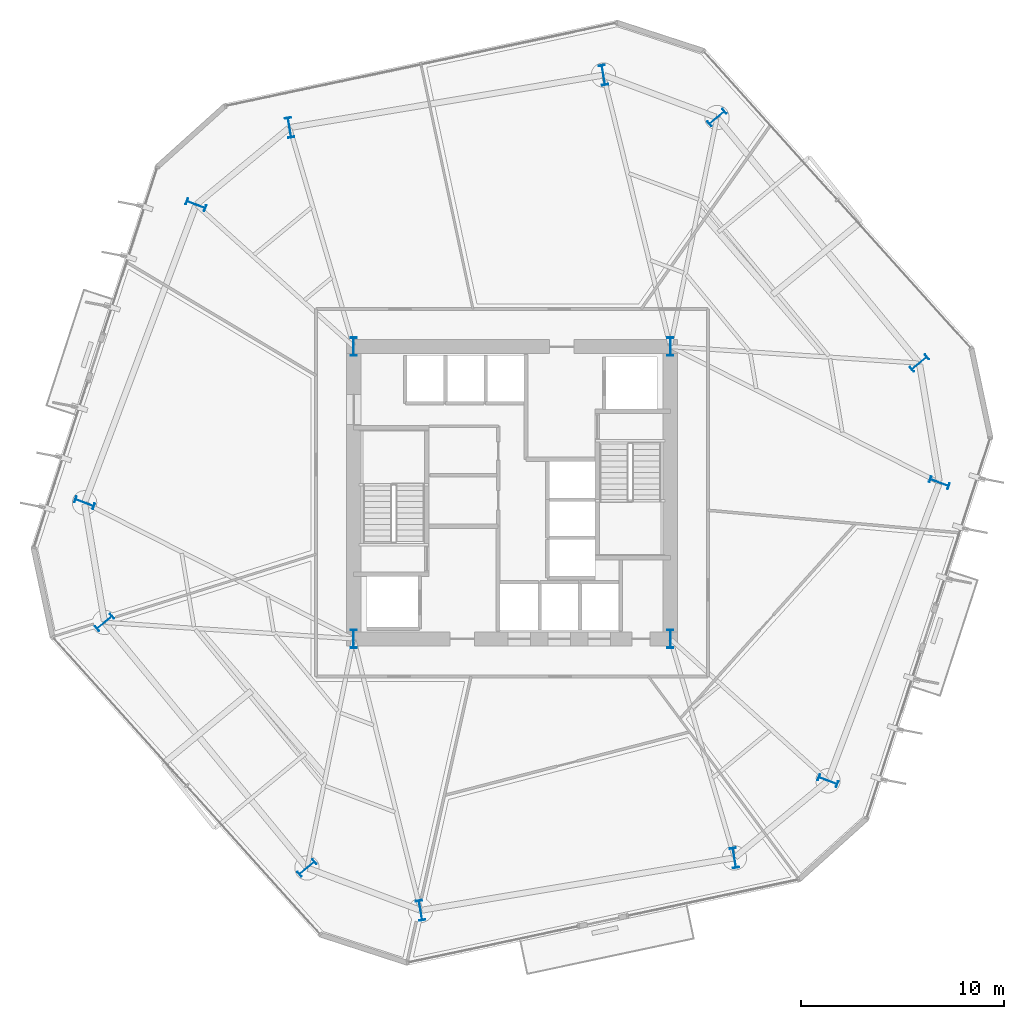
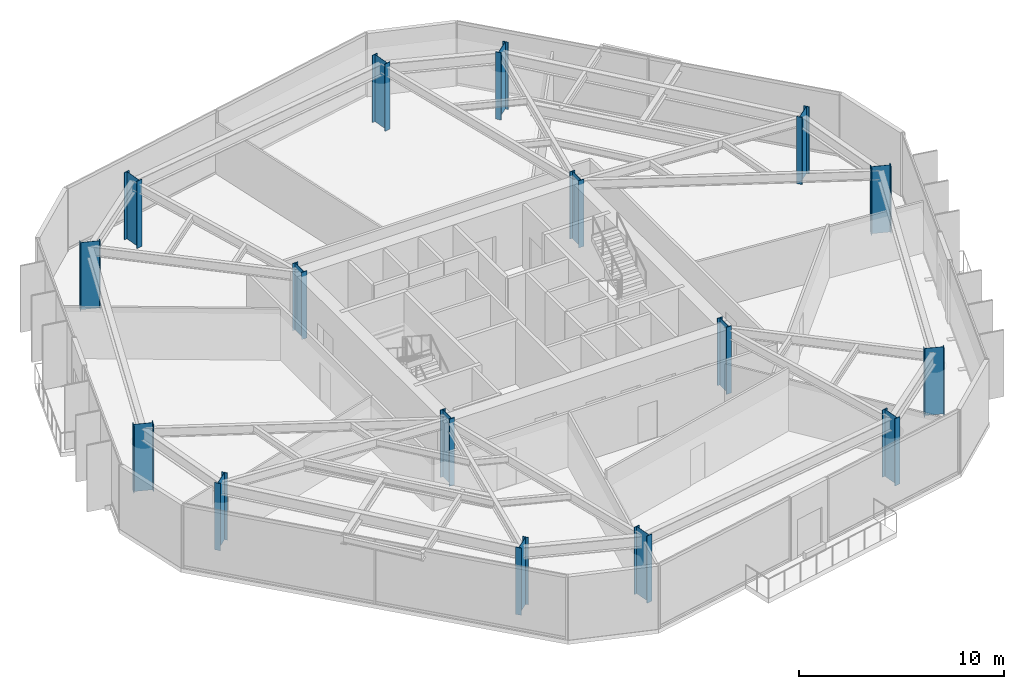
# One storey, part 1 of 10: 16 columns.
"""IFC4 building model written with IfcOpenShell, lengths in metres."""

import ifcopenshell
import ifcopenshell.guid

model = None  # the IFC model being written
_history = None  # IfcOwnerHistory: only IFC2X3 demands one
_inside = {}  # id of a spatial element -> (the spatial element, [elements in it])
_under = {}  # id of a project, library or spatial element -> (it, [spatial elements below it])
_declared = {}  # id of a project -> (the project, [libraries it declares])
_typed = {}  # id of a type object -> (the type object, [elements of that type])
_made_of = {}  # id of a material, layer set ... -> (it, [elements and type objects made of it])


def new_model(schema):
    """Start an empty IFC model of exactly this schema.

    Asked for "IFC4X3", IfcOpenShell would pick the latest addendum, in which some entities
    have other attributes; the version numbers below select the first issue.
    IFC2X3 requires an IfcOwnerHistory on every rooted entity: one is made here for all.
    """
    global model, _history
    if schema == "IFC4X3":
        model = ifcopenshell.file(schema_version=(4, 3, 0, 0))
    else:
        model = ifcopenshell.file(schema=schema)
    _inside.clear()
    _under.clear()
    _declared.clear()
    _typed.clear()
    _made_of.clear()
    _history = None
    if model.schema == "IFC2X3":
        org = make("IfcOrganization", Name="unknown")
        user = make(
            "IfcPersonAndOrganization",
            ThePerson=make("IfcPerson", FamilyName="unknown"),
            TheOrganization=org,
        )
        app = make(
            "IfcApplication",
            ApplicationDeveloper=org,
            Version="unknown",
            ApplicationFullName="unknown",
            ApplicationIdentifier="unknown",
        )
        _history = make(
            "IfcOwnerHistory",
            OwningUser=user,
            OwningApplication=app,
            ChangeAction="ADDED",
            CreationDate=0,
        )
    return model


def make(cls, **values):
    """One entity of the class cls with the attributes given. An attribute that is None is left unset."""
    return model.create_entity(
        cls, **{name: value for name, value in values.items() if value is not None}
    )


def rooted(cls, **values):
    """An entity with a GlobalId (a new one), such as an element, a storey or a relation."""
    return make(cls, GlobalId=ifcopenshell.guid.new(), OwnerHistory=_history, **values)


def si_unit(unit_type, name, prefix=None):
    """IfcSIUnit, for example si_unit("LENGTHUNIT", "METRE", prefix="MILLI")."""
    return make("IfcSIUnit", UnitType=unit_type, Prefix=prefix, Name=name)


def assignment(units):
    """IfcUnitAssignment: the units of a project."""
    return None if units is None else make("IfcUnitAssignment", Units=units)


def point(xyz):
    """IfcCartesianPoint."""
    return None if xyz is None else make("IfcCartesianPoint", Coordinates=xyz)


def direction(xyz):
    """IfcDirection."""
    return None if xyz is None else make("IfcDirection", DirectionRatios=xyz)


def frame(location, z_axis=None, x_axis=None):
    """IfcAxis2Placement3D, a coordinate frame: its origin and axes. An axis left out is left unset."""
    return make(
        "IfcAxis2Placement3D",
        Location=point(location),
        Axis=direction(z_axis),
        RefDirection=direction(x_axis),
    )


def frame_2d(location, x_axis=None):
    """IfcAxis2Placement2D, a coordinate frame in the plane: its origin and x axis."""
    return make(
        "IfcAxis2Placement2D", Location=point(location), RefDirection=direction(x_axis)
    )


def origin():
    """The frame at (0, 0, 0) with its axes left unset."""
    return frame((0.0, 0.0, 0.0))


def origin_2d():
    """The frame at (0, 0) in the plane with its x axis left unset."""
    return frame_2d((0.0, 0.0))


def place(relative_to, where):
    """IfcLocalPlacement: puts the frame where relative to a parent placement (None: the world)."""
    return make(
        "IfcLocalPlacement", PlacementRelTo=relative_to, RelativePlacement=where
    )


def context(
    kind, dimensions, precision=None, world=None, true_north=None, identifier=None
):
    """IfcGeometricRepresentationContext, for example the 3D "Model" context."""
    return make(
        "IfcGeometricRepresentationContext",
        ContextIdentifier=identifier,
        ContextType=kind,
        CoordinateSpaceDimension=dimensions,
        Precision=precision,
        WorldCoordinateSystem=world,
        TrueNorth=true_north,
    )


def subcontext(parent, identifier, kind, view, scale=None):
    """IfcGeometricRepresentationSubContext, for example "Body" below "Model"."""
    return make(
        "IfcGeometricRepresentationSubContext",
        ContextIdentifier=identifier,
        ContextType=kind,
        ParentContext=parent,
        TargetScale=scale,
        TargetView=view,
    )


def project(units=None, contexts=None):
    """IfcProject with its units and contexts."""
    return rooted(
        "IfcProject",
        Name="project",
        RepresentationContexts=contexts,
        UnitsInContext=assignment(units),
    )


def spatial(cls, under=None, at=None, **own):
    """A site, building, storey or space (cls), placed at a placement, below another one or the project."""
    s = rooted(cls, ObjectPlacement=at, **own)
    if under is not None:
        _under.setdefault(under.id(), (under, []))[1].append(s)
    return s


def profile(cls, at=None, kind="AREA", **sizes):
    """A parametric profile (cls). Its sizes go by their IFC names, for example OverallWidth=200.0."""
    return make(cls, ProfileType=kind, Position=at, **sizes)


def i_section(**sizes):
    """IfcIShapeProfileDef."""
    return profile("IfcIShapeProfileDef", **sizes)


def extrude(swept, where, along, depth):
    """IfcExtrudedAreaSolid: the profile swept, set in the frame where, extruded along a direction by depth."""
    return make(
        "IfcExtrudedAreaSolid",
        SweptArea=swept,
        Position=where,
        ExtrudedDirection=direction(along),
        Depth=depth,
    )


def shape(context_of_items, identifier, shape_type, items):
    """IfcShapeRepresentation: the items that make up one representation, for example the "Body"."""
    return make(
        "IfcShapeRepresentation",
        ContextOfItems=context_of_items,
        RepresentationIdentifier=identifier,
        RepresentationType=shape_type,
        Items=items,
    )


def material(Name=None, Category=None):
    """IfcMaterial."""
    return make("IfcMaterial", Name=Name, Category=Category)


def material_profile(
    of_material, cross_section, Name=None, Category=None, Priority=None
):
    """IfcMaterialProfile: a cross section and its material."""
    return make(
        "IfcMaterialProfile",
        Name=Name,
        Material=of_material,
        Profile=cross_section,
        Priority=Priority,
        Category=Category,
    )


def profile_set(profiles, Name=None, composite=None):
    """IfcMaterialProfileSet."""
    return make(
        "IfcMaterialProfileSet",
        Name=Name,
        MaterialProfiles=profiles,
        CompositeProfile=composite,
    )


def made_of(thing, what):
    """Note that an element or type object is made of a material, layer set ...; save() writes the relation."""
    if what is not None:
        _made_of.setdefault(what.id(), (what, []))[1].append(thing)
    return thing


def type_object(cls, material=None, **own):
    """A type object (cls), such as IfcWallType, which elements share."""
    return made_of(rooted(cls, **own), material)


def element(
    cls,
    number,
    at=None,
    inside=None,
    cuts=None,
    type_object=None,
    material=None,
    context=None,
    identifier="Body",
    shape_type=None,
    held_by="IfcProductDefinitionShape",
    body=None,
    shapes=None,
    **own,
):
    """One element of the class cls, such as IfcWall. Its Tag is "e" and its number.

    at: its placement. inside: the storey or other place that contains it. cuts: it is an
    opening in that element (IfcRelVoidsElement). A single representation is given by context,
    identifier, shape_type and body (its items); several are given by shapes. held_by: the class
    of the entity that holds the representations. save() writes the other relations.
    """
    e = rooted(cls, Tag="e%d" % number, ObjectPlacement=at, **own)
    if body is not None:
        shapes = [shape(context, identifier, shape_type, body)]
    if shapes is not None:
        e.Representation = make(held_by, Representations=shapes)
    if inside is not None:
        _inside.setdefault(inside.id(), (inside, []))[1].append(e)
    if cuts is not None:
        rooted(
            "IfcRelVoidsElement", RelatingBuildingElement=cuts, RelatedOpeningElement=e
        )
    if type_object is not None:
        _typed.setdefault(type_object.id(), (type_object, []))[1].append(e)
    return made_of(e, material)


def aggregate(whole, parts):
    """IfcRelAggregates: a whole, such as a stair, and the parts it consists of."""
    return rooted("IfcRelAggregates", RelatingObject=whole, RelatedObjects=parts)


def save(model, path):
    """Write the relations noted so far, then the file.

    IfcRelAggregates (storeys below a building ...), IfcRelContainedInSpatialStructure (elements
    in a storey), IfcRelDefinesByType, IfcRelAssociatesMaterial and IfcRelDeclares: one each for
    every whole, place, type object, material and project.
    """
    for whole, parts in _under.values():
        aggregate(whole, parts)
    for where, things in _inside.values():
        rooted(
            "IfcRelContainedInSpatialStructure",
            RelatedElements=things,
            RelatingStructure=where,
        )
    for kind, things in _typed.values():
        rooted("IfcRelDefinesByType", RelatedObjects=things, RelatingType=kind)
    for what, things in _made_of.values():
        rooted("IfcRelAssociatesMaterial", RelatedObjects=things, RelatingMaterial=what)
    for by, libraries in _declared.values():
        rooted("IfcRelDeclares", RelatingContext=by, RelatedDefinitions=libraries)
    model.write(path)


model = new_model("IFC4")

# Units and contexts
model_context = context("Model", 3, precision=1e-05, world=origin(), true_north=direction((0.0, 1.0)))
body_context = subcontext(model_context, "Body", "Model", "MODEL_VIEW")
ifc_project = project(units=[si_unit("LENGTHUNIT", "METRE"), si_unit("AREAUNIT", "SQUARE_METRE"), si_unit("VOLUMEUNIT", "CUBIC_METRE"), si_unit("PLANEANGLEUNIT", "RADIAN"), si_unit("MASSUNIT", "GRAM", prefix="KILO")], contexts=[model_context])

# Site, building, storey
site_placement = place(None, origin())
site = spatial("IfcSite", under=ifc_project, at=site_placement, CompositionType="ELEMENT")
building_placement = place(site_placement, origin())
building = spatial("IfcBuilding", under=site, at=building_placement, Name="Kranzbogen Civic Tower", CompositionType="ELEMENT")
storey_placement = place(building_placement, frame((0.0, 0.0, 68.0)))
storey = spatial("IfcBuildingStorey", under=building, at=storey_placement, Name="L16", CompositionType="ELEMENT", Elevation=68.0)

# Columns
ifc_material_1 = material(Name="Steel S355", Category="steel")
ifc_material_profile_1 = material_profile(ifc_material_1, i_section(OverallWidth=0.300048828125, OverallDepth=1.0, WebThickness=0.01904296875, FlangeThickness=0.035888671875, at=origin_2d()), Name="HEB 1000")
ifc_profile_set_1 = profile_set([ifc_material_profile_1], Name="Steel S355")
column_type_1 = type_object("IfcColumnType", Name="Structural Column HEB 1000", PredefinedType="COLUMN", material=ifc_profile_set_1)
for number, where, z_axis, x_axis, name in (
    (1, (45.072021484375, 31.385986328125, 0.0), (0.0, 0.0, 1.0), (-0.636078220278, 0.771624583388, 0.0), "L16 tower perimeter tube column 01"),
    (2, (35.09912109375, 43.48388671875, 0.0), (0.0, 0.0, 1.0), (-0.636078220278, 0.771624583388, 0.0), "L16 tower perimeter tube column 02"),
    (3, (29.5048828125, 45.575927734375, 0.0), (0.0, 0.0, 1.0), (0.986285601537, 0.165047605861, 0.0), "L16 tower perimeter tube column 03"),
    (4, (14.0419921875, 42.988037109375, 0.0), (0.0, 0.0, 1.0), (0.986285601537, 0.165047605861, 0.0), "L16 tower perimeter tube column 04"),
    (5, (9.43310546875, 39.18896484375, 0.0), (0.0, 0.0, 1.0), (0.350207381259, 0.936672189248, 0.0), "L16 tower perimeter tube column 05"),
    (6, (3.943115234375, 24.50390625, 0.0), (0.0, 0.0, 1.0), (0.350207381259, 0.936672189248, 0.0), "L16 tower perimeter tube column 06"),
    (7, (4.927978515625, 18.614013671875, 0.0), (0.0, 0.0, 1.0), (-0.636078220278, 0.771624583388, 0.0), "L16 tower perimeter tube column 07"),
    (8, (14.90087890625, 6.51611328125, 0.0), (0.0, 0.0, 1.0), (-0.636078220278, 0.771624583388, 0.0), "L16 tower perimeter tube column 08"),
    (9, (20.4951171875, 4.424072265625, 0.0), (0.0, 0.0, 1.0), (0.986285601537, 0.165047605861, 0.0), "L16 tower perimeter tube column 09"),
    (10, (35.9580078125, 7.011962890625, 0.0), (0.0, 0.0, 1.0), (0.986285601537, 0.165047605861, 0.0), "L16 tower perimeter tube column 10"),
    (11, (40.56689453125, 10.81103515625, 0.0), (0.0, 0.0, 1.0), (0.350207381259, 0.936672189248, 0.0), "L16 tower perimeter tube column 11"),
    (12, (46.056884765625, 25.49609375, 0.0), (0.0, 0.0, 1.0), (0.350207381259, 0.936672189248, 0.0), "L16 tower perimeter tube column 12"),
):
    element("IfcColumn", number, at=place(storey_placement, frame(where, z_axis=z_axis, x_axis=x_axis)), inside=storey, type_object=column_type_1, Name=name, PredefinedType="COLUMN", context=body_context, shape_type="SweptSolid", body=[
        extrude(i_section(OverallWidth=0.300048828125, OverallDepth=1.0, WebThickness=0.01904296875, FlangeThickness=0.035888671875, at=origin_2d()), origin(), (0.0, 0.0, 1.0), 4.0),
    ])
ifc_material_2 = material(Name="Steel S460", Category="steel")
ifc_material_profile_2 = material_profile(ifc_material_2, i_section(OverallWidth=0.302001953125, OverallDepth=0.909912109375, WebThickness=0.02099609375, FlangeThickness=0.0400390625, at=origin_2d()), Name="HEM 900")
ifc_profile_set_2 = profile_set([ifc_material_profile_2], Name="Steel S460")
column_type_2 = type_object("IfcColumnType", Name="Structural Column HEM 900", PredefinedType="COLUMN", material=ifc_profile_set_2)
for number, where, z_axis, x_axis, name in (
    (13, (17.199951171875, 17.800048828125, 0.0), (0.0, 0.0, 1.0), (1.0, 0.0, 0.0), "L16 composite core corner column 1"),
    (14, (32.800048828125, 17.800048828125, 0.0), (0.0, 0.0, 1.0), (1.0, 0.0, 0.0), "L16 composite core corner column 2"),
    (15, (32.800048828125, 32.199951171875, 0.0), (0.0, 0.0, 1.0), (1.0, 0.0, 0.0), "L16 composite core corner column 3"),
    (16, (17.199951171875, 32.199951171875, 0.0), (0.0, 0.0, 1.0), (1.0, 0.0, 0.0), "L16 composite core corner column 4"),
):
    element("IfcColumn", number, at=place(storey_placement, frame(where, z_axis=z_axis, x_axis=x_axis)), inside=storey, type_object=column_type_2, Name=name, PredefinedType="COLUMN", context=body_context, shape_type="SweptSolid", body=[
        extrude(i_section(OverallWidth=0.302001953125, OverallDepth=0.909912109375, WebThickness=0.02099609375, FlangeThickness=0.0400390625, at=origin_2d()), origin(), (0.0, 0.0, 1.0), 4.0),
    ])

save(model, "model.ifc")
